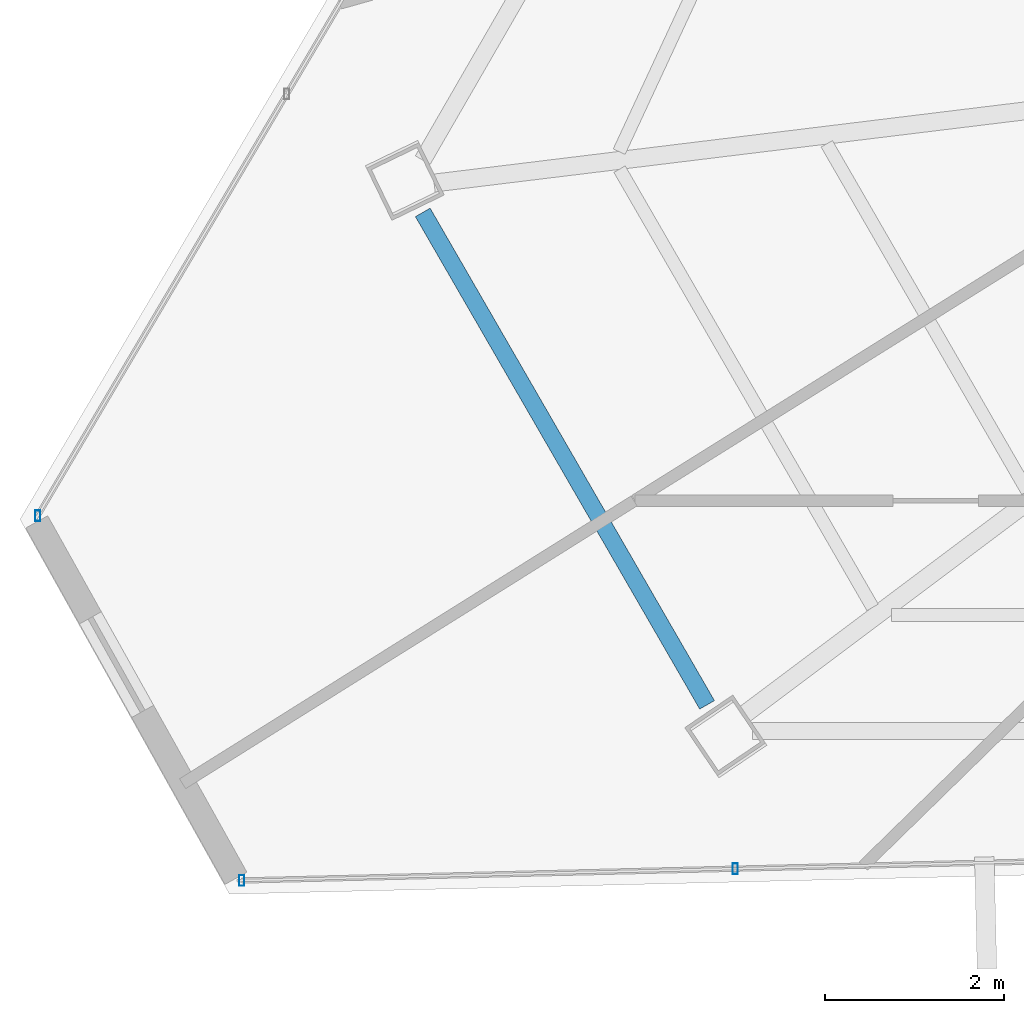
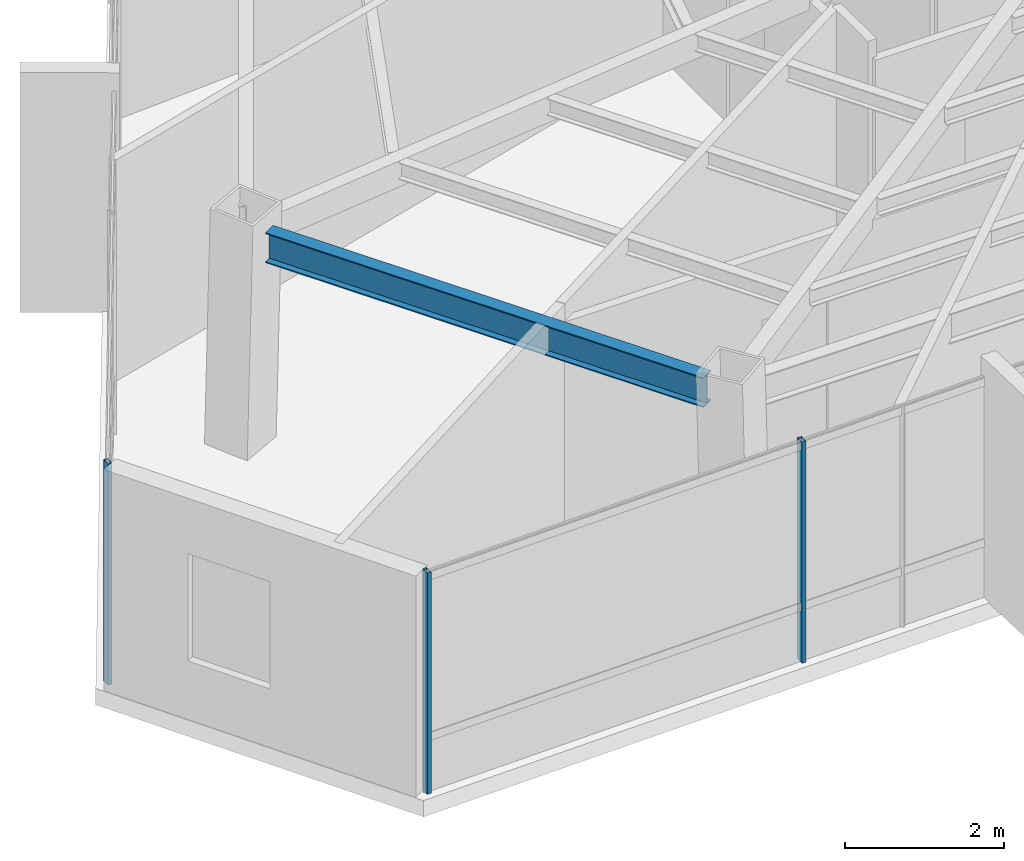
# One storey, part 3 of 45: 3 members, 1 beam, 2 elements without a shape of their own.
"""IFC4 building model written with IfcOpenShell, lengths in metres."""

from ifc_helpers import new_model, si_unit, direction, frame, origin, origin_2d, place, context, subcontext, project, spatial, hollow_rectangle, i_section, extrude, source, transform, mapped, material, material_profile, profile_set, type_object, type_shapes, element, aggregate, save


model = new_model("IFC4")

# Units and contexts
model_context = context("Model", 3, precision=1e-05, world=origin(), true_north=direction((0.0, 1.0)))
body_context = subcontext(model_context, "Body", "Model", "MODEL_VIEW")
ifc_project = project(units=[si_unit("LENGTHUNIT", "METRE"), si_unit("AREAUNIT", "SQUARE_METRE"), si_unit("VOLUMEUNIT", "CUBIC_METRE"), si_unit("PLANEANGLEUNIT", "RADIAN"), si_unit("MASSUNIT", "GRAM", prefix="KILO")], contexts=[model_context])

# Site, building, storey
site_placement = place(None, origin())
site = spatial("IfcSite", under=ifc_project, at=site_placement, CompositionType="ELEMENT")
building_placement = place(site_placement, origin())
building = spatial("IfcBuilding", under=site, at=building_placement, Name="Caelisora Broadcast Tower", CompositionType="ELEMENT")
storey_placement = place(building_placement, frame((0.0, 0.0, 266.35009765625)))
storey = spatial("IfcBuildingStorey", under=building, at=storey_placement, Name="L70", CompositionType="ELEMENT", Elevation=266.35009765625)

# Beam
ifc_material_1 = material(Name="Steel Grade 350 (AS/NZS 3679.1)", Category="steel")
ifc_material_profile_1 = material_profile(ifc_material_1, i_section(OverallWidth=0.19091796875, OverallDepth=0.46044921875, WebThickness=0.010009765625, FlangeThickness=0.01611328125, at=origin_2d()), Name="Steel Grade 350 (AS/NZS 3679.1)")
ifc_profile_set_1 = profile_set([ifc_material_profile_1], Name="Steel Grade 350 (AS/NZS 3679.1)")
beam_type = type_object("IfcBeamType", Name="PG06", PredefinedType="BEAM", material=ifc_profile_set_1)
shared_shape_1 = source(origin(), body_context, "Body", "SweptSolid", [
    extrude(i_section(OverallWidth=0.19091796875, OverallDepth=0.46044921875, WebThickness=0.010009765625, FlangeThickness=0.01611328125, at=origin_2d()), origin(), (0.0, 0.0, 1.0), 6.3662109375),
])
type_shapes(beam_type, [shared_shape_1])
beam_placement = place(storey_placement, frame((16.7509765625, 15.407470703125, 3.169677734375), z_axis=(0.499991339025, -0.866030404143, 0.0), x_axis=(0.866030404143, 0.499991339025, 0.0)))
element("IfcBeam", 1, at=beam_placement, inside=storey, type_object=beam_type, Name="L70 beam PG06", PredefinedType="BEAM", context=body_context, shape_type="MappedRepresentation", body=[
    mapped(shared_shape_1, transform((0.0, 0.0, 0.0), scale=1.0)),
])

# Curtain wall, members
ifc_material_2 = material(Name="Unitised Aluminium and Low-E Glass Curtain Wall", Category="glass")
curtain_wall_type = type_object("IfcCurtainWallType", Name="CW-Z5", PredefinedType="NOTDEFINED", material=ifc_material_2)
curtain_wall_1_placement = place(storey_placement, origin())
curtain_wall_1 = element("IfcCurtainWall", 2, at=curtain_wall_1_placement, inside=storey, type_object=curtain_wall_type, Name="L70 curtain wall CW-Z5", PredefinedType="NOTDEFINED")
ifc_material_3 = material(Name="Aluminium 6063-T6 Anodised Terracotta Bronze", Category="aluminium")
ifc_material_profile_2 = material_profile(ifc_material_3, hollow_rectangle(XDim=0.06005859375, YDim=0.1201171875, WallThickness=0.0029296875, at=origin_2d()), Name="Aluminium 6063-T6 Anodised Terracotta Bronze")
ifc_profile_set_2 = profile_set([ifc_material_profile_2], Name="Aluminium 6063-T6 Anodised Terracotta Bronze")
member_type = type_object("IfcMemberType", Name="CWM-04", PredefinedType="MULLION", material=ifc_profile_set_2)
shared_shape_2 = source(origin(), body_context, "Body", "SweptSolid", [
    extrude(hollow_rectangle(XDim=0.06005859375, YDim=0.1201171875, WallThickness=0.0029296875, at=origin_2d()), origin(), (0.0, 0.0, 1.0), 3.39990234375),
])
type_shapes(member_type, [shared_shape_2])
member_1_placement = place(storey_placement, frame((20.2490234375, 8.060302734375, 0.0), z_axis=(0.0, 0.0, 1.0), x_axis=(1.0, 0.0, 0.0)))
member_1 = element("IfcMember", 3, at=member_1_placement, type_object=member_type, Name="L70-CW-B07 mullion #2", PredefinedType="MULLION", context=body_context, shape_type="MappedRepresentation", body=[
    mapped(shared_shape_2, transform((0.0, 0.0, 0.0), scale=1.0)),
])
member_2_placement = place(storey_placement, frame((14.72412109375, 7.92822265625, 0.0), z_axis=(0.0, 0.0, 1.0), x_axis=(1.0, 0.0, 0.0)))
member_2 = element("IfcMember", 4, at=member_2_placement, type_object=member_type, Name="L70-CW-B07 mullion #3", PredefinedType="MULLION", context=body_context, shape_type="MappedRepresentation", body=[
    mapped(shared_shape_2, transform((0.0, 0.0, 0.0), scale=1.0)),
])
aggregate(curtain_wall_1, [member_1, member_2])

# Curtain wall, member
curtain_wall_2_placement = place(storey_placement, origin())
curtain_wall_2 = element("IfcCurtainWall", 5, at=curtain_wall_2_placement, inside=storey, type_object=curtain_wall_type, Name="L70 curtain wall CW-Z5", PredefinedType="NOTDEFINED")
member_3_placement = place(storey_placement, frame((12.4404296875, 12.01220703125, 0.0), z_axis=(0.0, 0.0, 1.0), x_axis=(1.0, 0.0, 0.0)))
member_3 = element("IfcMember", 6, at=member_3_placement, type_object=member_type, Name="L70-CW-B09 mullion #0", PredefinedType="MULLION", context=body_context, shape_type="MappedRepresentation", body=[
    mapped(shared_shape_2, transform((0.0, 0.0, 0.0), scale=1.0)),
])
aggregate(curtain_wall_2, [member_3])

save(model, "model.ifc")
